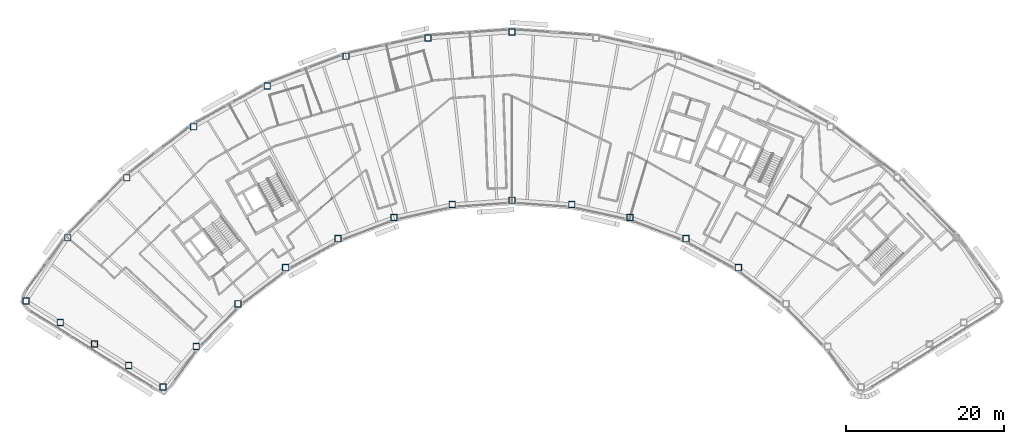
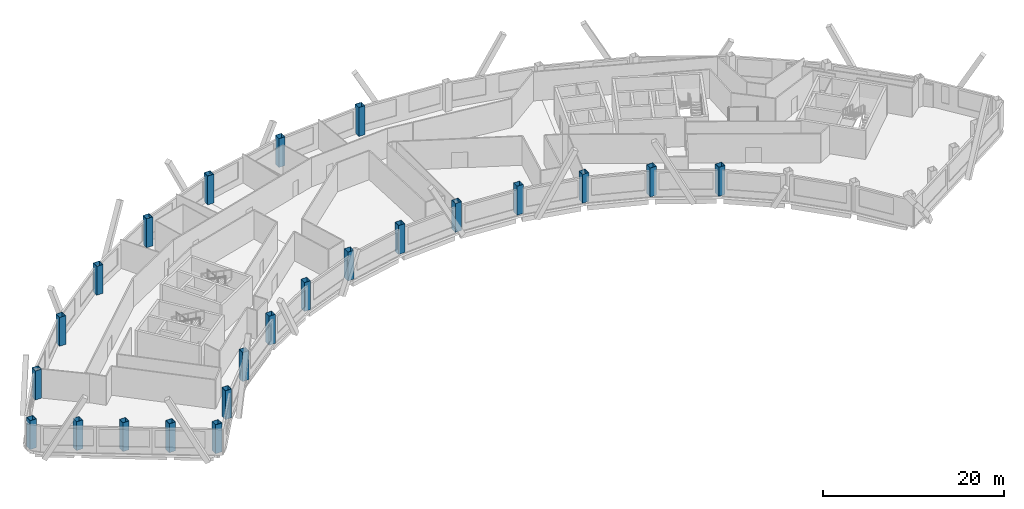
# One storey, part 1 of 12: 23 columns.
"""IFC4 building model written with IfcOpenShell, lengths in metres."""

from ifc_helpers import new_model, si_unit, direction, frame, origin, origin_2d, place, context, subcontext, project, spatial, hollow_rectangle, extrude, material, material_profile, profile_set, type_object, element, save


model = new_model("IFC4")

# Units and contexts
model_context = context("Model", 3, precision=1e-05, world=origin(), true_north=direction((0.0, 1.0)))
body_context = subcontext(model_context, "Body", "Model", "MODEL_VIEW")
ifc_project = project(units=[si_unit("LENGTHUNIT", "METRE"), si_unit("AREAUNIT", "SQUARE_METRE"), si_unit("VOLUMEUNIT", "CUBIC_METRE"), si_unit("PLANEANGLEUNIT", "RADIAN"), si_unit("MASSUNIT", "GRAM", prefix="KILO")], contexts=[model_context])

# Site, building, storey
site_placement = place(None, origin())
site = spatial("IfcSite", under=ifc_project, at=site_placement, CompositionType="ELEMENT")
building_placement = place(site_placement, origin())
building = spatial("IfcBuilding", under=site, at=building_placement, Name="Tuul Gate Civic Tower", CompositionType="ELEMENT")
storey_placement = place(building_placement, frame((0.0, 0.0, 336.5)))
storey = spatial("IfcBuildingStorey", under=building, at=storey_placement, Name="Level 76", CompositionType="ELEMENT", Elevation=336.5)

# Columns
ifc_material = material(Name="Steel S355", Category="steel")
ifc_material_profile = material_profile(ifc_material, hollow_rectangle(XDim=0.800048828125, YDim=0.800048828125, WallThickness=0.031982421875, at=origin_2d()), Name="BOX800x800x32")
ifc_profile_set = profile_set([ifc_material_profile], Name="Steel S355")
column_type = type_object("IfcColumnType", Name="STR-COLUMN-BOX800x800x32", PredefinedType="COLUMN", material=ifc_profile_set)
for number, where, z_axis, x_axis, name in (
    (1, (2.19189453125, 13.827880859375, 0.0), (0.0, 0.0, 1.0), (1.0, 0.0, 0.0), "Column"),
    (2, (-8.45703125, 13.055908203125, 0.0), (0.0, 0.0, 1.0), (1.0, 0.0, 0.0), "Column"),
    (3, (-18.885009765625, 10.758056640625, 0.0), (0.0, 0.0, 1.0), (1.0, 0.0, 0.0), "Column"),
    (4, (-28.8720703125, 6.98193359375, 0.0), (0.0, 0.0, 1.0), (1.0, 0.0, 0.0), "Column"),
    (5, (-38.2099609375, 1.804931640625, 0.0), (0.0, 0.0, 1.0), (1.0, 0.0, 0.0), "Column"),
    (6, (-46.7060546875, -4.6630859375, 0.0), (0.0, 0.0, 1.0), (1.0, 0.0, 0.0), "Column"),
    (7, (-54.179931640625, -12.2880859375, 0.0), (0.0, 0.0, 1.0), (1.0, 0.0, 0.0), "Column"),
    (8, (-59.47900390625, -20.300048828125, 0.0), (0.0, 0.0, 1.0), (1.0, 0.0, 0.0), "Column"),
    (9, (-55.135986328125, -23.034912109375, 0.0), (0.0, 0.0, 1.0), (1.0, 0.0, 0.0), "Column"),
    (10, (-50.7939453125, -25.77001953125, 0.0), (0.0, 0.0, 1.0), (1.0, 0.0, 0.0), "Column"),
    (11, (-46.450927734375, -28.50390625, 0.0), (0.0, 0.0, 1.0), (1.0, 0.0, 0.0), "Column"),
    (12, (-42.10888671875, -31.239013671875, 0.0), (0.0, 0.0, 1.0), (1.0, 0.0, 0.0), "Column"),
    (13, (-37.888916015625, -26.096923828125, 0.0), (0.0, 0.0, 1.0), (1.0, 0.0, 0.0), "Column"),
    (14, (-32.574951171875, -20.675048828125, 0.0), (0.0, 0.0, 1.0), (1.0, 0.0, 0.0), "Column"),
    (15, (-26.534912109375, -16.075927734375, 0.0), (0.0, 0.0, 1.0), (1.0, 0.0, 0.0), "Column"),
    (16, (-19.89501953125, -12.39599609375, 0.0), (0.0, 0.0, 1.0), (1.0, 0.0, 0.0), "Column"),
    (17, (-12.7939453125, -9.7099609375, 0.0), (0.0, 0.0, 1.0), (1.0, 0.0, 0.0), "Column"),
    (18, (-5.3798828125, -8.076904296875, 0.0), (0.0, 0.0, 1.0), (1.0, 0.0, 0.0), "Column"),
    (19, (2.19189453125, -7.528076171875, 0.0), (0.0, 0.0, 1.0), (1.0, 0.0, 0.0), "Column"),
    (20, (9.763916015625, -8.076904296875, 0.0), (0.0, 0.0, 1.0), (1.0, 0.0, 0.0), "Column"),
    (21, (17.177978515625, -9.7099609375, 0.0), (0.0, 0.0, 1.0), (1.0, 0.0, 0.0), "Column"),
    (22, (24.279052734375, -12.39599609375, 0.0), (0.0, 0.0, 1.0), (1.0, 0.0, 0.0), "Column"),
    (23, (30.9189453125, -16.075927734375, 0.0), (0.0, 0.0, 1.0), (1.0, 0.0, 0.0), "Column"),
):
    element("IfcColumn", number, at=place(storey_placement, frame(where, z_axis=z_axis, x_axis=x_axis)), inside=storey, type_object=column_type, Name=name, PredefinedType="COLUMN", context=body_context, shape_type="SweptSolid", body=[
        extrude(hollow_rectangle(XDim=0.800048828125, YDim=0.800048828125, WallThickness=0.031982421875, at=origin_2d()), origin(), (0.0, 0.0, 1.0), 3.89990234375),
    ])

save(model, "model.ifc")
